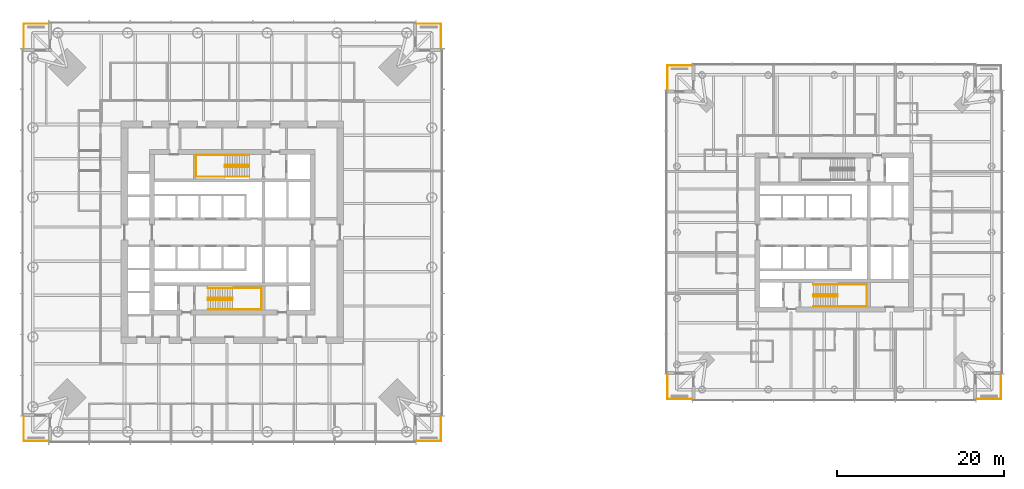
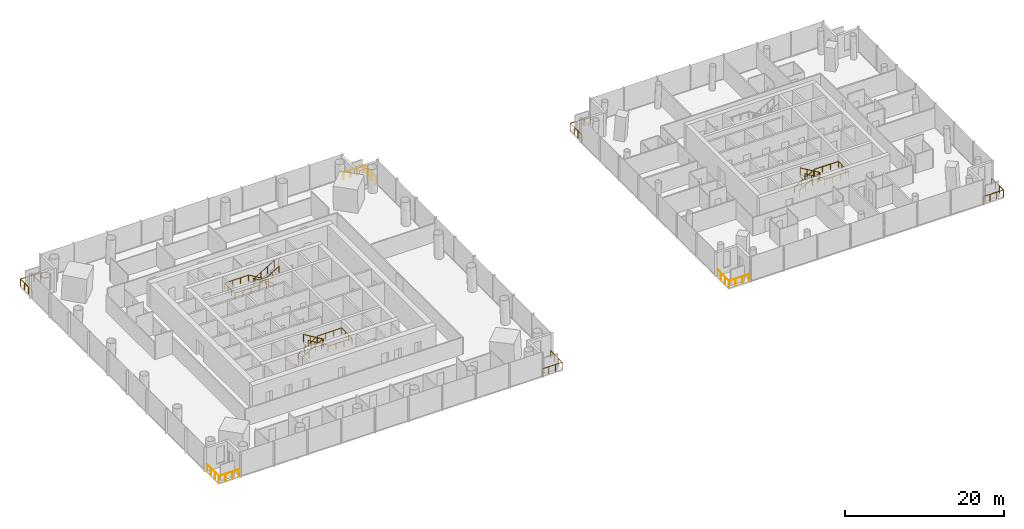
# One storey, part 18 of 19: 13 railings.
"""IFC4 building model written with IfcOpenShell, lengths in metres."""

from ifc_helpers import new_model, si_unit, direction, frame, origin, origin_2d, place, context, subcontext, project, spatial, circle, extrude, material, type_object, element, save


model = new_model("IFC4")

# Units and contexts
model_context = context("Model", 3, precision=1e-05, world=origin(), true_north=direction((0.0, 1.0)))
body_context = subcontext(model_context, "Body", "Model", "MODEL_VIEW")
ifc_project = project(units=[si_unit("LENGTHUNIT", "METRE"), si_unit("AREAUNIT", "SQUARE_METRE"), si_unit("VOLUMEUNIT", "CUBIC_METRE"), si_unit("PLANEANGLEUNIT", "RADIAN"), si_unit("MASSUNIT", "GRAM", prefix="KILO")], contexts=[model_context])

# Site, building, storey
site_placement = place(None, origin())
site = spatial("IfcSite", under=ifc_project, at=site_placement, CompositionType="ELEMENT")
building_placement = place(site_placement, origin())
building = spatial("IfcBuilding", under=site, at=building_placement, Name="Ostroluk Exchange", CompositionType="ELEMENT")
storey_placement = place(building_placement, frame((0.0, 0.0, 24.800048828125)))
storey = spatial("IfcBuildingStorey", under=building, at=storey_placement, Name="L05", CompositionType="ELEMENT", Elevation=24.800048828125)

# Railings
ifc_material_1 = material(Name="Stainless steel", Category="steel")
railing_type_1 = type_object("IfcRailingType", Name="Guard 1100 stainless steel", PredefinedType="GUARDRAIL", material=ifc_material_1)
railing_1_placement = place(storey_placement, frame((67.0, 21.050048828125, 0.0)))
element("IfcRailing", 1, at=railing_1_placement, inside=storey, type_object=railing_type_1, Name="Office tower SE balcony guard L05", PredefinedType="GUARDRAIL", context=body_context, shape_type="SweptSolid", body=[
    extrude(circle(Radius=0.02392578125, at=origin_2d()), frame((0.0, 0.0, 1.076171875), z_axis=(1.0, 0.0, 0.0), x_axis=(0.0, 1.0, 0.0)), (0.0, 0.0, 1.0), 2.949951171875),
    extrude(circle(Radius=0.02392578125, at=origin_2d()), frame((2.949951171875, 0.0, 1.076171875), z_axis=(0.0, 1.0, 0.0), x_axis=(-1.0, 0.0, 0.0)), (0.0, 0.0, 1.0), 2.949951171875),
    extrude(circle(Radius=0.02099609375, at=origin_2d()), origin(), (0.0, 0.0, 1.0), 1.052001953125),
    extrude(circle(Radius=0.02099609375, at=origin_2d()), frame((0.9833984375, 0.0, 0.0)), (0.0, 0.0, 1.0), 1.052001953125),
    extrude(circle(Radius=0.02099609375, at=origin_2d()), frame((1.966552734375, 0.0, 0.0)), (0.0, 0.0, 1.0), 1.052001953125),
    extrude(circle(Radius=0.02099609375, at=origin_2d()), frame((2.949951171875, 0.0, 0.0)), (0.0, 0.0, 1.0), 1.052001953125),
    extrude(circle(Radius=0.02099609375, at=origin_2d()), frame((2.949951171875, 0.9833984375, 0.0)), (0.0, 0.0, 1.0), 1.052001953125),
    extrude(circle(Radius=0.02099609375, at=origin_2d()), frame((2.949951171875, 1.966552734375, 0.0)), (0.0, 0.0, 1.0), 1.052001953125),
    extrude(circle(Radius=0.02099609375, at=origin_2d()), frame((2.949951171875, 2.949951171875, 0.0)), (0.0, 0.0, 1.0), 1.052001953125),
])
railing_2_placement = place(storey_placement, frame((67.0, 70.949951171875, 0.0)))
element("IfcRailing", 2, at=railing_2_placement, inside=storey, type_object=railing_type_1, Name="Office tower NE balcony guard L05", PredefinedType="GUARDRAIL", context=body_context, shape_type="SweptSolid", body=[
    extrude(circle(Radius=0.02392578125, at=origin_2d()), frame((0.0, 0.0, 1.076171875), z_axis=(1.0, 0.0, 0.0), x_axis=(0.0, 1.0, 0.0)), (0.0, 0.0, 1.0), 2.949951171875),
    extrude(circle(Radius=0.02392578125, at=origin_2d()), frame((2.949951171875, 0.0, 1.076171875), z_axis=(0.0, -1.0, 0.0), x_axis=(1.0, 0.0, 0.0)), (0.0, 0.0, 1.0), 2.949951171875),
    extrude(circle(Radius=0.02099609375, at=origin_2d()), origin(), (0.0, 0.0, 1.0), 1.052001953125),
    extrude(circle(Radius=0.02099609375, at=origin_2d()), frame((0.9833984375, 0.0, 0.0)), (0.0, 0.0, 1.0), 1.052001953125),
    extrude(circle(Radius=0.02099609375, at=origin_2d()), frame((1.966552734375, 0.0, 0.0)), (0.0, 0.0, 1.0), 1.052001953125),
    extrude(circle(Radius=0.02099609375, at=origin_2d()), frame((2.949951171875, 0.0, 0.0)), (0.0, 0.0, 1.0), 1.052001953125),
    extrude(circle(Radius=0.02099609375, at=origin_2d()), frame((2.949951171875, -0.9833984375, 0.0)), (0.0, 0.0, 1.0), 1.052001953125),
    extrude(circle(Radius=0.02099609375, at=origin_2d()), frame((2.949951171875, -1.966552734375, 0.0)), (0.0, 0.0, 1.0), 1.052001953125),
    extrude(circle(Radius=0.02099609375, at=origin_2d()), frame((2.949951171875, -2.949951171875, 0.0)), (0.0, 0.0, 1.0), 1.052001953125),
])
railing_3_placement = place(storey_placement, frame((23.0, 70.949951171875, 0.0)))
element("IfcRailing", 3, at=railing_3_placement, inside=storey, type_object=railing_type_1, Name="Office tower NW balcony guard L05", PredefinedType="GUARDRAIL", context=body_context, shape_type="SweptSolid", body=[
    extrude(circle(Radius=0.02392578125, at=origin_2d()), frame((0.0, 0.0, 1.076171875), z_axis=(-1.0, 0.0, 0.0), x_axis=(0.0, -1.0, 0.0)), (0.0, 0.0, 1.0), 2.949951171875),
    extrude(circle(Radius=0.02392578125, at=origin_2d()), frame((-2.949951171875, 0.0, 1.076171875), z_axis=(0.0, -1.0, 0.0), x_axis=(1.0, 0.0, 0.0)), (0.0, 0.0, 1.0), 2.949951171875),
    extrude(circle(Radius=0.02099609375, at=origin_2d()), origin(), (0.0, 0.0, 1.0), 1.052001953125),
    extrude(circle(Radius=0.02099609375, at=origin_2d()), frame((-0.9833984375, 0.0, 0.0)), (0.0, 0.0, 1.0), 1.052001953125),
    extrude(circle(Radius=0.02099609375, at=origin_2d()), frame((-1.966552734375, 0.0, 0.0)), (0.0, 0.0, 1.0), 1.052001953125),
    extrude(circle(Radius=0.02099609375, at=origin_2d()), frame((-2.949951171875, 0.0, 0.0)), (0.0, 0.0, 1.0), 1.052001953125),
    extrude(circle(Radius=0.02099609375, at=origin_2d()), frame((-2.949951171875, -0.9833984375, 0.0)), (0.0, 0.0, 1.0), 1.052001953125),
    extrude(circle(Radius=0.02099609375, at=origin_2d()), frame((-2.949951171875, -1.966552734375, 0.0)), (0.0, 0.0, 1.0), 1.052001953125),
    extrude(circle(Radius=0.02099609375, at=origin_2d()), frame((-2.949951171875, -2.949951171875, 0.0)), (0.0, 0.0, 1.0), 1.052001953125),
])
railing_4_placement = place(storey_placement, frame((23.0, 21.050048828125, 0.0)))
element("IfcRailing", 4, at=railing_4_placement, inside=storey, type_object=railing_type_1, Name="Office tower SW balcony guard L05", PredefinedType="GUARDRAIL", context=body_context, shape_type="SweptSolid", body=[
    extrude(circle(Radius=0.02392578125, at=origin_2d()), frame((0.0, 0.0, 1.076171875), z_axis=(-1.0, 0.0, 0.0), x_axis=(0.0, -1.0, 0.0)), (0.0, 0.0, 1.0), 2.949951171875),
    extrude(circle(Radius=0.02392578125, at=origin_2d()), frame((-2.949951171875, 0.0, 1.076171875), z_axis=(0.0, 1.0, 0.0), x_axis=(-1.0, 0.0, 0.0)), (0.0, 0.0, 1.0), 2.949951171875),
    extrude(circle(Radius=0.02099609375, at=origin_2d()), origin(), (0.0, 0.0, 1.0), 1.052001953125),
    extrude(circle(Radius=0.02099609375, at=origin_2d()), frame((-0.9833984375, 0.0, 0.0)), (0.0, 0.0, 1.0), 1.052001953125),
    extrude(circle(Radius=0.02099609375, at=origin_2d()), frame((-1.966552734375, 0.0, 0.0)), (0.0, 0.0, 1.0), 1.052001953125),
    extrude(circle(Radius=0.02099609375, at=origin_2d()), frame((-2.949951171875, 0.0, 0.0)), (0.0, 0.0, 1.0), 1.052001953125),
    extrude(circle(Radius=0.02099609375, at=origin_2d()), frame((-2.949951171875, 0.9833984375, 0.0)), (0.0, 0.0, 1.0), 1.052001953125),
    extrude(circle(Radius=0.02099609375, at=origin_2d()), frame((-2.949951171875, 1.966552734375, 0.0)), (0.0, 0.0, 1.0), 1.052001953125),
    extrude(circle(Radius=0.02099609375, at=origin_2d()), frame((-2.949951171875, 2.949951171875, 0.0)), (0.0, 0.0, 1.0), 1.052001953125),
])
railing_5_placement = place(storey_placement, frame((134.0, 26.050048828125, 0.0)))
element("IfcRailing", 5, at=railing_5_placement, inside=storey, type_object=railing_type_1, Name="Hotel tower SE balcony guard L05", PredefinedType="GUARDRAIL", context=body_context, shape_type="SweptSolid", body=[
    extrude(circle(Radius=0.02392578125, at=origin_2d()), frame((0.0, 0.0, 1.076171875), z_axis=(1.0, 0.0, 0.0), x_axis=(0.0, 1.0, 0.0)), (0.0, 0.0, 1.0), 2.949951171875),
    extrude(circle(Radius=0.02392578125, at=origin_2d()), frame((2.949951171875, 0.0, 1.076171875), z_axis=(0.0, 1.0, 0.0), x_axis=(-1.0, 0.0, 0.0)), (0.0, 0.0, 1.0), 2.949951171875),
    extrude(circle(Radius=0.02099609375, at=origin_2d()), origin(), (0.0, 0.0, 1.0), 1.052001953125),
    extrude(circle(Radius=0.02099609375, at=origin_2d()), frame((0.9833984375, 0.0, 0.0)), (0.0, 0.0, 1.0), 1.052001953125),
    extrude(circle(Radius=0.02099609375, at=origin_2d()), frame((1.966552734375, 0.0, 0.0)), (0.0, 0.0, 1.0), 1.052001953125),
    extrude(circle(Radius=0.02099609375, at=origin_2d()), frame((2.949951171875, 0.0, 0.0)), (0.0, 0.0, 1.0), 1.052001953125),
    extrude(circle(Radius=0.02099609375, at=origin_2d()), frame((2.949951171875, 0.9833984375, 0.0)), (0.0, 0.0, 1.0), 1.052001953125),
    extrude(circle(Radius=0.02099609375, at=origin_2d()), frame((2.949951171875, 1.966552734375, 0.0)), (0.0, 0.0, 1.0), 1.052001953125),
    extrude(circle(Radius=0.02099609375, at=origin_2d()), frame((2.949951171875, 2.949951171875, 0.0)), (0.0, 0.0, 1.0), 1.052001953125),
])
railing_6_placement = place(storey_placement, frame((100.0, 65.949951171875, 0.0)))
element("IfcRailing", 6, at=railing_6_placement, inside=storey, type_object=railing_type_1, Name="Hotel tower NW balcony guard L05", PredefinedType="GUARDRAIL", context=body_context, shape_type="SweptSolid", body=[
    extrude(circle(Radius=0.02392578125, at=origin_2d()), frame((0.0, 0.0, 1.076171875), z_axis=(-1.0, 0.0, 0.0), x_axis=(0.0, -1.0, 0.0)), (0.0, 0.0, 1.0), 2.949951171875),
    extrude(circle(Radius=0.02392578125, at=origin_2d()), frame((-2.949951171875, 0.0, 1.076171875), z_axis=(0.0, -1.0, 0.0), x_axis=(1.0, 0.0, 0.0)), (0.0, 0.0, 1.0), 2.949951171875),
    extrude(circle(Radius=0.02099609375, at=origin_2d()), origin(), (0.0, 0.0, 1.0), 1.052001953125),
    extrude(circle(Radius=0.02099609375, at=origin_2d()), frame((-0.9833984375, 0.0, 0.0)), (0.0, 0.0, 1.0), 1.052001953125),
    extrude(circle(Radius=0.02099609375, at=origin_2d()), frame((-1.966552734375, 0.0, 0.0)), (0.0, 0.0, 1.0), 1.052001953125),
    extrude(circle(Radius=0.02099609375, at=origin_2d()), frame((-2.949951171875, 0.0, 0.0)), (0.0, 0.0, 1.0), 1.052001953125),
    extrude(circle(Radius=0.02099609375, at=origin_2d()), frame((-2.949951171875, -0.9833984375, 0.0)), (0.0, 0.0, 1.0), 1.052001953125),
    extrude(circle(Radius=0.02099609375, at=origin_2d()), frame((-2.949951171875, -1.966552734375, 0.0)), (0.0, 0.0, 1.0), 1.052001953125),
    extrude(circle(Radius=0.02099609375, at=origin_2d()), frame((-2.949951171875, -2.949951171875, 0.0)), (0.0, 0.0, 1.0), 1.052001953125),
])
railing_7_placement = place(storey_placement, frame((100.0, 26.050048828125, 0.0)))
element("IfcRailing", 7, at=railing_7_placement, inside=storey, type_object=railing_type_1, Name="Hotel tower SW balcony guard L05", PredefinedType="GUARDRAIL", context=body_context, shape_type="SweptSolid", body=[
    extrude(circle(Radius=0.02392578125, at=origin_2d()), frame((0.0, 0.0, 1.076171875), z_axis=(-1.0, 0.0, 0.0), x_axis=(0.0, -1.0, 0.0)), (0.0, 0.0, 1.0), 2.949951171875),
    extrude(circle(Radius=0.02392578125, at=origin_2d()), frame((-2.949951171875, 0.0, 1.076171875), z_axis=(0.0, 1.0, 0.0), x_axis=(-1.0, 0.0, 0.0)), (0.0, 0.0, 1.0), 2.949951171875),
    extrude(circle(Radius=0.02099609375, at=origin_2d()), origin(), (0.0, 0.0, 1.0), 1.052001953125),
    extrude(circle(Radius=0.02099609375, at=origin_2d()), frame((-0.9833984375, 0.0, 0.0)), (0.0, 0.0, 1.0), 1.052001953125),
    extrude(circle(Radius=0.02099609375, at=origin_2d()), frame((-1.966552734375, 0.0, 0.0)), (0.0, 0.0, 1.0), 1.052001953125),
    extrude(circle(Radius=0.02099609375, at=origin_2d()), frame((-2.949951171875, 0.0, 0.0)), (0.0, 0.0, 1.0), 1.052001953125),
    extrude(circle(Radius=0.02099609375, at=origin_2d()), frame((-2.949951171875, 0.9833984375, 0.0)), (0.0, 0.0, 1.0), 1.052001953125),
    extrude(circle(Radius=0.02099609375, at=origin_2d()), frame((-2.949951171875, 1.966552734375, 0.0)), (0.0, 0.0, 1.0), 1.052001953125),
    extrude(circle(Radius=0.02099609375, at=origin_2d()), frame((-2.949951171875, 2.949951171875, 0.0)), (0.0, 0.0, 1.0), 1.052001953125),
])
ifc_material_2 = material(Name="Steel S355", Category="steel")
railing_type_2 = type_object("IfcRailingType", Name="Stair guard 1100", PredefinedType="GUARDRAIL", material=ifc_material_2)
railing_8_placement = place(storey_placement, frame((42.10009765625, 38.179931640625, 0.172607421875)))
element("IfcRailing", 8, at=railing_8_placement, inside=storey, type_object=railing_type_2, Name="Stair T1-S1 guard L05", PredefinedType="GUARDRAIL", context=body_context, shape_type="SweptSolid", body=[
    extrude(circle(Radius=0.02392578125, at=origin_2d()), frame((0.0, 0.0, 1.076171875), z_axis=(0.859141464434, 0.0, 0.511738159696), x_axis=(0.0, 1.0, 0.0)), (0.0, 0.0, 1.0), 3.375244140625),
    extrude(circle(Radius=0.02392578125, at=origin_2d()), frame((2.89990234375, 0.0, 2.80322265625), z_axis=(0.0, -1.0, 0.0), x_axis=(1.0, 0.0, 0.0)), (0.0, 0.0, 1.0), 0.260009765625),
    extrude(circle(Radius=0.02392578125, at=origin_2d()), frame((2.89990234375, -0.260009765625, 2.80322265625), z_axis=(0.0, 0.0, 1.0), x_axis=(1.0, 0.0, 0.0)), (0.0, 0.0, 1.0), 0.1728515625),
    extrude(circle(Radius=0.02392578125, at=origin_2d()), frame((2.89990234375, -0.260009765625, 2.97607421875), z_axis=(-0.859141464434, 0.0, 0.511738159696), x_axis=(0.0, -1.0, 0.0)), (0.0, 0.0, 1.0), 3.375244140625),
    extrude(circle(Radius=0.02099609375, at=origin_2d()), origin(), (0.0, 0.0, 1.0), 1.052001953125),
    extrude(circle(Radius=0.02099609375, at=origin_2d()), frame((0.966552734375, 0.0, 0.57568359375)), (0.0, 0.0, 1.0), 1.052001953125),
    extrude(circle(Radius=0.02099609375, at=origin_2d()), frame((1.933349609375, 0.0, 1.151611328125)), (0.0, 0.0, 1.0), 1.052001953125),
    extrude(circle(Radius=0.02099609375, at=origin_2d()), frame((2.89990234375, 0.0, 1.727294921875)), (0.0, 0.0, 1.0), 1.052001953125),
    extrude(circle(Radius=0.02099609375, at=origin_2d()), frame((2.89990234375, -0.260009765625, 1.727294921875)), (0.0, 0.0, 1.0), 1.052001953125),
    extrude(circle(Radius=0.02099609375, at=origin_2d()), frame((2.89990234375, -0.260009765625, 1.900146484375)), (0.0, 0.0, 1.0), 1.052001953125),
    extrude(circle(Radius=0.02099609375, at=origin_2d()), frame((1.933349609375, -0.260009765625, 2.475830078125)), (0.0, 0.0, 1.0), 1.052001953125),
    extrude(circle(Radius=0.02099609375, at=origin_2d()), frame((0.966552734375, -0.260009765625, 3.0517578125)), (0.0, 0.0, 1.0), 1.052001953125),
    extrude(circle(Radius=0.02099609375, at=origin_2d()), frame((0.0, -0.260009765625, 3.62744140625)), (0.0, 0.0, 1.0), 1.052001953125),
])
railing_9_placement = place(storey_placement, frame((47.030029296875, 54.080078125, 0.172607421875)))
element("IfcRailing", 9, at=railing_9_placement, inside=storey, type_object=railing_type_2, Name="Stair T1-S2 guard L05", PredefinedType="GUARDRAIL", context=body_context, shape_type="SweptSolid", body=[
    extrude(circle(Radius=0.02392578125, at=origin_2d()), frame((0.0, 0.0, 1.076171875), z_axis=(-0.859160404282, 0.0, 0.51170636083), x_axis=(0.0, -1.0, 0.0)), (0.0, 0.0, 1.0), 3.37548828125),
    extrude(circle(Radius=0.02392578125, at=origin_2d()), frame((-2.900146484375, 0.0, 2.80322265625), z_axis=(0.0, -1.0, 0.0), x_axis=(1.0, 0.0, 0.0)), (0.0, 0.0, 1.0), 0.260009765625),
    extrude(circle(Radius=0.02392578125, at=origin_2d()), frame((-2.900146484375, -0.260009765625, 2.80322265625), z_axis=(0.0, 0.0, 1.0), x_axis=(1.0, 0.0, 0.0)), (0.0, 0.0, 1.0), 0.1728515625),
    extrude(circle(Radius=0.02392578125, at=origin_2d()), frame((-2.900146484375, -0.260009765625, 2.97607421875), z_axis=(0.859160404282, 0.0, 0.51170636083), x_axis=(0.0, 1.0, 0.0)), (0.0, 0.0, 1.0), 3.37548828125),
    extrude(circle(Radius=0.02099609375, at=origin_2d()), origin(), (0.0, 0.0, 1.0), 1.052001953125),
    extrude(circle(Radius=0.02099609375, at=origin_2d()), frame((-0.966796875, 0.0, 0.57568359375)), (0.0, 0.0, 1.0), 1.052001953125),
    extrude(circle(Radius=0.02099609375, at=origin_2d()), frame((-1.933349609375, 0.0, 1.151611328125)), (0.0, 0.0, 1.0), 1.052001953125),
    extrude(circle(Radius=0.02099609375, at=origin_2d()), frame((-2.900146484375, 0.0, 1.727294921875)), (0.0, 0.0, 1.0), 1.052001953125),
    extrude(circle(Radius=0.02099609375, at=origin_2d()), frame((-2.900146484375, -0.260009765625, 1.727294921875)), (0.0, 0.0, 1.0), 1.052001953125),
    extrude(circle(Radius=0.02099609375, at=origin_2d()), frame((-2.900146484375, -0.260009765625, 1.900146484375)), (0.0, 0.0, 1.0), 1.052001953125),
    extrude(circle(Radius=0.02099609375, at=origin_2d()), frame((-1.933349609375, -0.260009765625, 2.475830078125)), (0.0, 0.0, 1.0), 1.052001953125),
    extrude(circle(Radius=0.02099609375, at=origin_2d()), frame((-0.966796875, -0.260009765625, 3.0517578125)), (0.0, 0.0, 1.0), 1.052001953125),
    extrude(circle(Radius=0.02099609375, at=origin_2d()), frame((0.0, -0.260009765625, 3.62744140625)), (0.0, 0.0, 1.0), 1.052001953125),
])
railing_10_placement = place(storey_placement, frame((114.5, 38.580078125, 0.172607421875)))
element("IfcRailing", 10, at=railing_10_placement, inside=storey, type_object=railing_type_2, Name="Stair T2-S1 guard L05", PredefinedType="GUARDRAIL", context=body_context, shape_type="SweptSolid", body=[
    extrude(circle(Radius=0.02392578125, at=origin_2d()), frame((0.0, 0.0, 1.076171875), z_axis=(0.859141464434, 0.0, 0.511738159696), x_axis=(0.0, 1.0, 0.0)), (0.0, 0.0, 1.0), 3.375244140625),
    extrude(circle(Radius=0.02392578125, at=origin_2d()), frame((2.89990234375, 0.0, 2.80322265625), z_axis=(0.0, -1.0, 0.0), x_axis=(1.0, 0.0, 0.0)), (0.0, 0.0, 1.0), 0.260009765625),
    extrude(circle(Radius=0.02392578125, at=origin_2d()), frame((2.89990234375, -0.260009765625, 2.80322265625), z_axis=(0.0, 0.0, 1.0), x_axis=(1.0, 0.0, 0.0)), (0.0, 0.0, 1.0), 0.1728515625),
    extrude(circle(Radius=0.02392578125, at=origin_2d()), frame((2.89990234375, -0.260009765625, 2.97607421875), z_axis=(-0.859141464434, 0.0, 0.511738159696), x_axis=(0.0, -1.0, 0.0)), (0.0, 0.0, 1.0), 3.375244140625),
    extrude(circle(Radius=0.02099609375, at=origin_2d()), origin(), (0.0, 0.0, 1.0), 1.052001953125),
    extrude(circle(Radius=0.02099609375, at=origin_2d()), frame((0.966552734375, 0.0, 0.57568359375)), (0.0, 0.0, 1.0), 1.052001953125),
    extrude(circle(Radius=0.02099609375, at=origin_2d()), frame((1.933349609375, 0.0, 1.151611328125)), (0.0, 0.0, 1.0), 1.052001953125),
    extrude(circle(Radius=0.02099609375, at=origin_2d()), frame((2.89990234375, 0.0, 1.727294921875)), (0.0, 0.0, 1.0), 1.052001953125),
    extrude(circle(Radius=0.02099609375, at=origin_2d()), frame((2.89990234375, -0.260009765625, 1.727294921875)), (0.0, 0.0, 1.0), 1.052001953125),
    extrude(circle(Radius=0.02099609375, at=origin_2d()), frame((2.89990234375, -0.260009765625, 1.900146484375)), (0.0, 0.0, 1.0), 1.052001953125),
    extrude(circle(Radius=0.02099609375, at=origin_2d()), frame((1.933349609375, -0.260009765625, 2.475830078125)), (0.0, 0.0, 1.0), 1.052001953125),
    extrude(circle(Radius=0.02099609375, at=origin_2d()), frame((0.966552734375, -0.260009765625, 3.0517578125)), (0.0, 0.0, 1.0), 1.052001953125),
    extrude(circle(Radius=0.02099609375, at=origin_2d()), frame((0.0, -0.260009765625, 3.62744140625)), (0.0, 0.0, 1.0), 1.052001953125),
])
ifc_material_3 = material(Name="Stainless steel", Category="steel")
railing_type_3 = type_object("IfcRailingType", Name="Stair handrail 900", PredefinedType="HANDRAIL", material=ifc_material_3)
railing_11_placement = place(storey_placement, frame((42.10009765625, 39.35009765625, 0.172607421875)))
element("IfcRailing", 11, at=railing_11_placement, inside=storey, type_object=railing_type_3, Name="Stair T1-S1 handrail L05", PredefinedType="HANDRAIL", context=body_context, shape_type="SweptSolid", body=[
    extrude(circle(Radius=0.02392578125, at=origin_2d()), frame((0.0, 0.0, 0.8759765625), z_axis=(0.859141464434, 0.0, 0.511738159696), x_axis=(0.0, 1.0, 0.0)), (0.0, 0.0, 1.0), 3.375244140625),
    extrude(circle(Radius=0.02392578125, at=origin_2d()), frame((2.89990234375, 0.0, 2.60302734375), z_axis=(1.0, 0.0, 0.0), x_axis=(0.0, 1.0, 0.0)), (0.0, 0.0, 1.0), 3.47998046875),
    extrude(circle(Radius=0.02392578125, at=origin_2d()), frame((6.3798828125, 0.0, 2.60302734375), z_axis=(0.0, -1.0, 0.0), x_axis=(1.0, 0.0, 0.0)), (0.0, 0.0, 1.0), 2.60009765625),
    extrude(circle(Radius=0.02392578125, at=origin_2d()), frame((6.3798828125, -2.60009765625, 2.60302734375), z_axis=(-1.0, 0.0, 0.0), x_axis=(0.0, -1.0, 0.0)), (0.0, 0.0, 1.0), 3.47998046875),
    extrude(circle(Radius=0.02392578125, at=origin_2d()), frame((2.89990234375, -2.60009765625, 2.60302734375), z_axis=(0.0, 0.0, 1.0), x_axis=(1.0, 0.0, 0.0)), (0.0, 0.0, 1.0), 0.1728515625),
    extrude(circle(Radius=0.02392578125, at=origin_2d()), frame((2.89990234375, -2.60009765625, 2.77587890625), z_axis=(-0.859141464434, 0.0, 0.511738159696), x_axis=(0.0, -1.0, 0.0)), (0.0, 0.0, 1.0), 3.375244140625),
    extrude(circle(Radius=0.02099609375, at=origin_2d()), origin(), (0.0, 0.0, 1.0), 0.851806640625),
    extrude(circle(Radius=0.02099609375, at=origin_2d()), frame((0.966552734375, 0.0, 0.57568359375)), (0.0, 0.0, 1.0), 0.851806640625),
    extrude(circle(Radius=0.02099609375, at=origin_2d()), frame((1.933349609375, 0.0, 1.151611328125)), (0.0, 0.0, 1.0), 0.851806640625),
    extrude(circle(Radius=0.02099609375, at=origin_2d()), frame((2.89990234375, 0.0, 1.727294921875)), (0.0, 0.0, 1.0), 0.851806640625),
    extrude(circle(Radius=0.02099609375, at=origin_2d()), frame((4.059814453125, 0.0, 1.727294921875)), (0.0, 0.0, 1.0), 0.851806640625),
    extrude(circle(Radius=0.02099609375, at=origin_2d()), frame((5.219970703125, 0.0, 1.727294921875)), (0.0, 0.0, 1.0), 0.851806640625),
    extrude(circle(Radius=0.02099609375, at=origin_2d()), frame((6.3798828125, 0.0, 1.727294921875)), (0.0, 0.0, 1.0), 0.851806640625),
    extrude(circle(Radius=0.02099609375, at=origin_2d()), frame((6.3798828125, -0.86669921875, 1.727294921875)), (0.0, 0.0, 1.0), 0.851806640625),
    extrude(circle(Radius=0.02099609375, at=origin_2d()), frame((6.3798828125, -1.7333984375, 1.727294921875)), (0.0, 0.0, 1.0), 0.851806640625),
    extrude(circle(Radius=0.02099609375, at=origin_2d()), frame((6.3798828125, -2.60009765625, 1.727294921875)), (0.0, 0.0, 1.0), 0.851806640625),
    extrude(circle(Radius=0.02099609375, at=origin_2d()), frame((5.219970703125, -2.60009765625, 1.727294921875)), (0.0, 0.0, 1.0), 0.851806640625),
    extrude(circle(Radius=0.02099609375, at=origin_2d()), frame((4.059814453125, -2.60009765625, 1.727294921875)), (0.0, 0.0, 1.0), 0.851806640625),
    extrude(circle(Radius=0.02099609375, at=origin_2d()), frame((2.89990234375, -2.60009765625, 1.727294921875)), (0.0, 0.0, 1.0), 0.851806640625),
    extrude(circle(Radius=0.02099609375, at=origin_2d()), frame((2.89990234375, -2.60009765625, 1.900146484375)), (0.0, 0.0, 1.0), 0.851806640625),
    extrude(circle(Radius=0.02099609375, at=origin_2d()), frame((1.933349609375, -2.60009765625, 2.475830078125)), (0.0, 0.0, 1.0), 0.851806640625),
    extrude(circle(Radius=0.02099609375, at=origin_2d()), frame((0.966552734375, -2.60009765625, 3.0517578125)), (0.0, 0.0, 1.0), 0.851806640625),
    extrude(circle(Radius=0.02099609375, at=origin_2d()), frame((0.0, -2.60009765625, 3.62744140625)), (0.0, 0.0, 1.0), 0.851806640625),
])
railing_12_placement = place(storey_placement, frame((47.030029296875, 55.25, 0.172607421875)))
element("IfcRailing", 12, at=railing_12_placement, inside=storey, type_object=railing_type_3, Name="Stair T1-S2 handrail L05", PredefinedType="HANDRAIL", context=body_context, shape_type="SweptSolid", body=[
    extrude(circle(Radius=0.02392578125, at=origin_2d()), frame((0.0, 0.0, 0.8759765625), z_axis=(-0.859160404282, 0.0, 0.51170636083), x_axis=(0.0, -1.0, 0.0)), (0.0, 0.0, 1.0), 3.37548828125),
    extrude(circle(Radius=0.02392578125, at=origin_2d()), frame((-2.900146484375, 0.0, 2.60302734375), z_axis=(-1.0, 0.0, 0.0), x_axis=(0.0, -1.0, 0.0)), (0.0, 0.0, 1.0), 3.47998046875),
    extrude(circle(Radius=0.02392578125, at=origin_2d()), frame((-6.380126953125, 0.0, 2.60302734375), z_axis=(0.0, -1.0, 0.0), x_axis=(1.0, 0.0, 0.0)), (0.0, 0.0, 1.0), 2.60009765625),
    extrude(circle(Radius=0.02392578125, at=origin_2d()), frame((-6.380126953125, -2.60009765625, 2.60302734375), z_axis=(1.0, 0.0, 0.0), x_axis=(0.0, 1.0, 0.0)), (0.0, 0.0, 1.0), 3.47998046875),
    extrude(circle(Radius=0.02392578125, at=origin_2d()), frame((-2.900146484375, -2.60009765625, 2.60302734375), z_axis=(0.0, 0.0, 1.0), x_axis=(1.0, 0.0, 0.0)), (0.0, 0.0, 1.0), 0.1728515625),
    extrude(circle(Radius=0.02392578125, at=origin_2d()), frame((-2.900146484375, -2.60009765625, 2.77587890625), z_axis=(0.859160404282, 0.0, 0.51170636083), x_axis=(0.0, 1.0, 0.0)), (0.0, 0.0, 1.0), 3.37548828125),
    extrude(circle(Radius=0.02099609375, at=origin_2d()), origin(), (0.0, 0.0, 1.0), 0.851806640625),
    extrude(circle(Radius=0.02099609375, at=origin_2d()), frame((-0.966796875, 0.0, 0.57568359375)), (0.0, 0.0, 1.0), 0.851806640625),
    extrude(circle(Radius=0.02099609375, at=origin_2d()), frame((-1.933349609375, 0.0, 1.151611328125)), (0.0, 0.0, 1.0), 0.851806640625),
    extrude(circle(Radius=0.02099609375, at=origin_2d()), frame((-2.900146484375, 0.0, 1.727294921875)), (0.0, 0.0, 1.0), 0.851806640625),
    extrude(circle(Radius=0.02099609375, at=origin_2d()), frame((-4.06005859375, 0.0, 1.727294921875)), (0.0, 0.0, 1.0), 0.851806640625),
    extrude(circle(Radius=0.02099609375, at=origin_2d()), frame((-5.22021484375, 0.0, 1.727294921875)), (0.0, 0.0, 1.0), 0.851806640625),
    extrude(circle(Radius=0.02099609375, at=origin_2d()), frame((-6.380126953125, 0.0, 1.727294921875)), (0.0, 0.0, 1.0), 0.851806640625),
    extrude(circle(Radius=0.02099609375, at=origin_2d()), frame((-6.380126953125, -0.86669921875, 1.727294921875)), (0.0, 0.0, 1.0), 0.851806640625),
    extrude(circle(Radius=0.02099609375, at=origin_2d()), frame((-6.380126953125, -1.7333984375, 1.727294921875)), (0.0, 0.0, 1.0), 0.851806640625),
    extrude(circle(Radius=0.02099609375, at=origin_2d()), frame((-6.380126953125, -2.60009765625, 1.727294921875)), (0.0, 0.0, 1.0), 0.851806640625),
    extrude(circle(Radius=0.02099609375, at=origin_2d()), frame((-5.22021484375, -2.60009765625, 1.727294921875)), (0.0, 0.0, 1.0), 0.851806640625),
    extrude(circle(Radius=0.02099609375, at=origin_2d()), frame((-4.06005859375, -2.60009765625, 1.727294921875)), (0.0, 0.0, 1.0), 0.851806640625),
    extrude(circle(Radius=0.02099609375, at=origin_2d()), frame((-2.900146484375, -2.60009765625, 1.727294921875)), (0.0, 0.0, 1.0), 0.851806640625),
    extrude(circle(Radius=0.02099609375, at=origin_2d()), frame((-2.900146484375, -2.60009765625, 1.900146484375)), (0.0, 0.0, 1.0), 0.851806640625),
    extrude(circle(Radius=0.02099609375, at=origin_2d()), frame((-1.933349609375, -2.60009765625, 2.475830078125)), (0.0, 0.0, 1.0), 0.851806640625),
    extrude(circle(Radius=0.02099609375, at=origin_2d()), frame((-0.966796875, -2.60009765625, 3.0517578125)), (0.0, 0.0, 1.0), 0.851806640625),
    extrude(circle(Radius=0.02099609375, at=origin_2d()), frame((0.0, -2.60009765625, 3.62744140625)), (0.0, 0.0, 1.0), 0.851806640625),
])
railing_13_placement = place(storey_placement, frame((114.5, 39.75, 0.172607421875)))
element("IfcRailing", 13, at=railing_13_placement, inside=storey, type_object=railing_type_3, Name="Stair T2-S1 handrail L05", PredefinedType="HANDRAIL", context=body_context, shape_type="SweptSolid", body=[
    extrude(circle(Radius=0.02392578125, at=origin_2d()), frame((0.0, 0.0, 0.8759765625), z_axis=(0.859141464434, 0.0, 0.511738159696), x_axis=(0.0, 1.0, 0.0)), (0.0, 0.0, 1.0), 3.375244140625),
    extrude(circle(Radius=0.02392578125, at=origin_2d()), frame((2.89990234375, 0.0, 2.60302734375), z_axis=(1.0, 0.0, 0.0), x_axis=(0.0, 1.0, 0.0)), (0.0, 0.0, 1.0), 3.47998046875),
    extrude(circle(Radius=0.02392578125, at=origin_2d()), frame((6.3798828125, 0.0, 2.60302734375), z_axis=(0.0, -1.0, 0.0), x_axis=(1.0, 0.0, 0.0)), (0.0, 0.0, 1.0), 2.60009765625),
    extrude(circle(Radius=0.02392578125, at=origin_2d()), frame((6.3798828125, -2.60009765625, 2.60302734375), z_axis=(-1.0, 0.0, 0.0), x_axis=(0.0, -1.0, 0.0)), (0.0, 0.0, 1.0), 3.47998046875),
    extrude(circle(Radius=0.02392578125, at=origin_2d()), frame((2.89990234375, -2.60009765625, 2.60302734375), z_axis=(0.0, 0.0, 1.0), x_axis=(1.0, 0.0, 0.0)), (0.0, 0.0, 1.0), 0.1728515625),
    extrude(circle(Radius=0.02392578125, at=origin_2d()), frame((2.89990234375, -2.60009765625, 2.77587890625), z_axis=(-0.859141464434, 0.0, 0.511738159696), x_axis=(0.0, -1.0, 0.0)), (0.0, 0.0, 1.0), 3.375244140625),
    extrude(circle(Radius=0.02099609375, at=origin_2d()), origin(), (0.0, 0.0, 1.0), 0.851806640625),
    extrude(circle(Radius=0.02099609375, at=origin_2d()), frame((0.966552734375, 0.0, 0.57568359375)), (0.0, 0.0, 1.0), 0.851806640625),
    extrude(circle(Radius=0.02099609375, at=origin_2d()), frame((1.933349609375, 0.0, 1.151611328125)), (0.0, 0.0, 1.0), 0.851806640625),
    extrude(circle(Radius=0.02099609375, at=origin_2d()), frame((2.89990234375, 0.0, 1.727294921875)), (0.0, 0.0, 1.0), 0.851806640625),
    extrude(circle(Radius=0.02099609375, at=origin_2d()), frame((4.059814453125, 0.0, 1.727294921875)), (0.0, 0.0, 1.0), 0.851806640625),
    extrude(circle(Radius=0.02099609375, at=origin_2d()), frame((5.219970703125, 0.0, 1.727294921875)), (0.0, 0.0, 1.0), 0.851806640625),
    extrude(circle(Radius=0.02099609375, at=origin_2d()), frame((6.3798828125, 0.0, 1.727294921875)), (0.0, 0.0, 1.0), 0.851806640625),
    extrude(circle(Radius=0.02099609375, at=origin_2d()), frame((6.3798828125, -0.86669921875, 1.727294921875)), (0.0, 0.0, 1.0), 0.851806640625),
    extrude(circle(Radius=0.02099609375, at=origin_2d()), frame((6.3798828125, -1.7333984375, 1.727294921875)), (0.0, 0.0, 1.0), 0.851806640625),
    extrude(circle(Radius=0.02099609375, at=origin_2d()), frame((6.3798828125, -2.60009765625, 1.727294921875)), (0.0, 0.0, 1.0), 0.851806640625),
    extrude(circle(Radius=0.02099609375, at=origin_2d()), frame((5.219970703125, -2.60009765625, 1.727294921875)), (0.0, 0.0, 1.0), 0.851806640625),
    extrude(circle(Radius=0.02099609375, at=origin_2d()), frame((4.059814453125, -2.60009765625, 1.727294921875)), (0.0, 0.0, 1.0), 0.851806640625),
    extrude(circle(Radius=0.02099609375, at=origin_2d()), frame((2.89990234375, -2.60009765625, 1.727294921875)), (0.0, 0.0, 1.0), 0.851806640625),
    extrude(circle(Radius=0.02099609375, at=origin_2d()), frame((2.89990234375, -2.60009765625, 1.900146484375)), (0.0, 0.0, 1.0), 0.851806640625),
    extrude(circle(Radius=0.02099609375, at=origin_2d()), frame((1.933349609375, -2.60009765625, 2.475830078125)), (0.0, 0.0, 1.0), 0.851806640625),
    extrude(circle(Radius=0.02099609375, at=origin_2d()), frame((0.966552734375, -2.60009765625, 3.0517578125)), (0.0, 0.0, 1.0), 0.851806640625),
    extrude(circle(Radius=0.02099609375, at=origin_2d()), frame((0.0, -2.60009765625, 3.62744140625)), (0.0, 0.0, 1.0), 0.851806640625),
])

save(model, "model.ifc")
